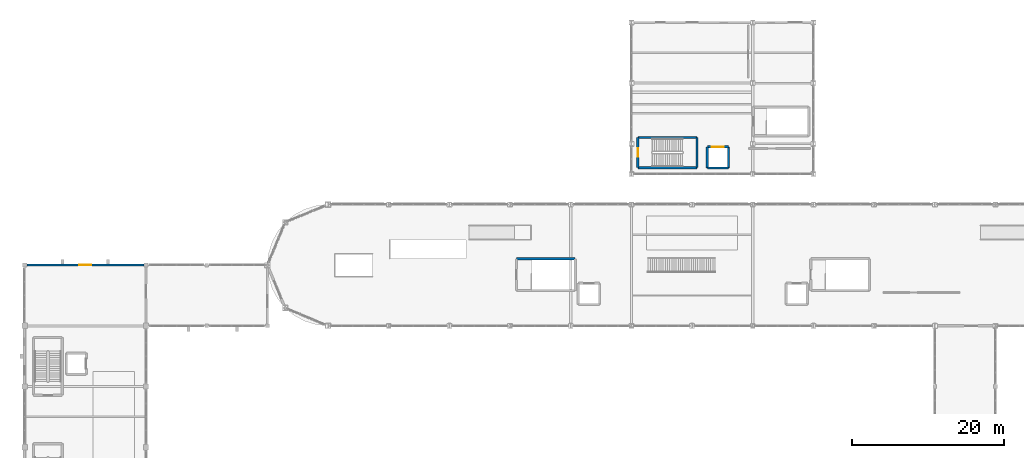
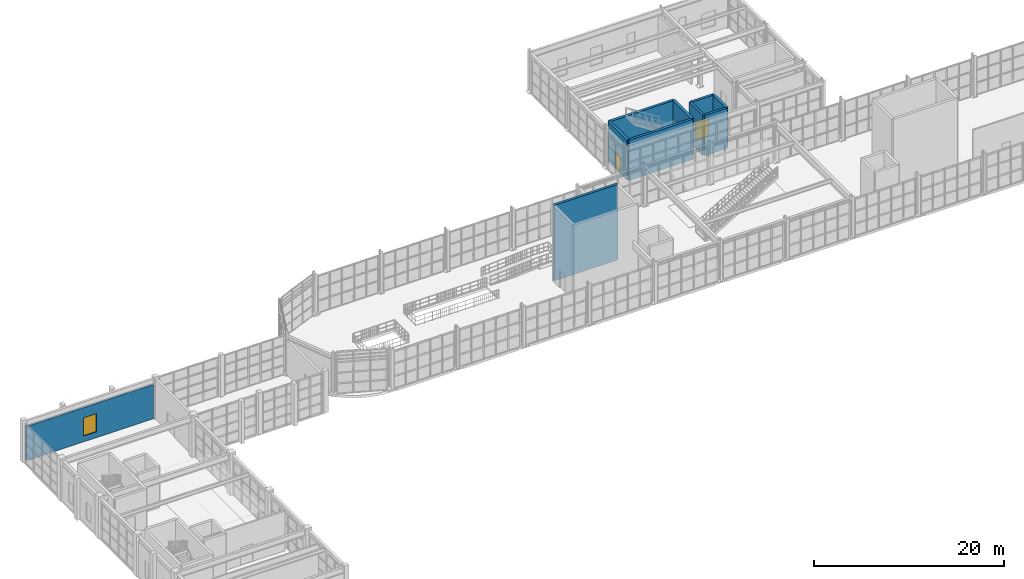
# One storey, part 68 of 82: 10 walls, 2 doors, 1 window, 3 openings.
"""IFC4 building model written with IfcOpenShell, lengths in metres."""

from ifc_helpers import new_model, si_unit, direction, frame, frame_2d, origin, place, context, subcontext, project, spatial, rectangle, extrude, material, layer, layer_set, type_object, element, fill, save


model = new_model("IFC4")

# Units and contexts
model_context = context("Model", 3, precision=1e-05, world=origin(), true_north=direction((0.0, 1.0)))
body_context = subcontext(model_context, "Body", "Model", "MODEL_VIEW")
ifc_project = project(units=[si_unit("LENGTHUNIT", "METRE"), si_unit("AREAUNIT", "SQUARE_METRE"), si_unit("VOLUMEUNIT", "CUBIC_METRE"), si_unit("PLANEANGLEUNIT", "RADIAN"), si_unit("MASSUNIT", "GRAM", prefix="KILO")], contexts=[model_context])

# Site, building, storey
site_placement = place(None, origin())
site = spatial("IfcSite", under=ifc_project, at=site_placement, CompositionType="ELEMENT")
building_placement = place(site_placement, origin())
building = spatial("IfcBuilding", under=site, at=building_placement, Name="Serraluz Foothill Cableway Terminal", CompositionType="ELEMENT")
storey_placement = place(building_placement, frame((0.0, 0.0, 9.60009765625)))
storey = spatial("IfcBuildingStorey", under=building, at=storey_placement, Name="L02", CompositionType="ELEMENT", Elevation=9.60009765625)

# Wall, opening, window
ifc_material_1 = material(Name="Fired clay masonry brick (f'm 12 MPa)", Category="masonry")
ifc_layer_1 = layer(ifc_material_1, 0.260009765625, Name="Fired clay masonry brick (f'm 12 MPa)", Category="masonry")
ifc_layer_set_1 = layer_set([ifc_layer_1], Name="Fired clay masonry brick (f'm 12 MPa)")
wall_type_1 = type_object("IfcWallType", Name="TYP-WL-EXT-260", PredefinedType="STANDARD", material=ifc_layer_set_1)
wall_1_placement = place(storey_placement, frame((0.27490234375, 64.0, 0.0), z_axis=(0.0, 0.0, 1.0), x_axis=(1.0, 0.0, 0.0)))
wall_1 = element("IfcWall", 1, at=wall_1_placement, inside=storey, type_object=wall_type_1, Name="Exterior Masonry Wall EW-V5N-L02", PredefinedType="STANDARD", context=body_context, shape_type="SweptSolid", body=[
    extrude(rectangle(XDim=15.4501953125, YDim=0.260009765625, at=frame_2d((7.72509765625, 0.0))), origin(), (0.0, 0.0, 1.0), 4.3798828125),
])
opening_1_placement = place(wall_1_placement, frame((6.949951171875, 0.0, 0.75)))
opening_1 = element("IfcOpeningElement", 2, at=opening_1_placement, cuts=wall_1, Name="Opening W-42", PredefinedType="OPENING", context=body_context, shape_type="SweptSolid", body=[
    extrude(rectangle(XDim=1.550048828125, YDim=2.35009765625, at=frame_2d((0.77490234375, 1.175048828125))), frame((0.0, 0.14013671875, 0.0), z_axis=(0.0, -1.0, 0.0), x_axis=(1.0, 0.0, 0.0)), (0.0, 0.0, 1.0), 0.280029296875),
])
ifc_material_2 = material(Name="Laminated low-E safety glass", Category="glass")
window_type = type_object("IfcWindowType", Name="TYP-WN-155X235", PartitioningType="DOUBLE_PANEL_VERTICAL", PredefinedType="WINDOW", material=ifc_material_2)
window_placement = place(opening_1_placement, origin())
window = element("IfcWindow", 3, at=window_placement, inside=storey, type_object=window_type, Name="Exterior Window EW-V5N-L02-WN2", OverallHeight=2.35009765625, OverallWidth=1.550048828125, PartitioningType="SINGLE_PANEL", PredefinedType="WINDOW", context=body_context, shape_type="SweptSolid", body=[
    extrude(rectangle(XDim=1.550048828125, YDim=2.35009765625, at=frame_2d((0.77490234375, 1.175048828125))), frame((0.0, 0.030029296875, 0.0), z_axis=(0.0, -1.0, 0.0), x_axis=(1.0, 0.0, 0.0)), (0.0, 0.0, 1.0), 0.06005859375),
])
fill(opening_1, window)

# Walls
ifc_material_3 = material(Name="Concrete C35/45 (f'c 35 MPa)", Category="concrete")
ifc_layer_2 = layer(ifc_material_3, 0.300048828125, Name="Concrete C35/45 (f'c 35 MPa)", Category="concrete")
ifc_layer_set_2 = layer_set([ifc_layer_2], Name="Concrete C35/45 (f'c 35 MPa)")
wall_type_2 = type_object("IfcWallType", Name="TYP-WL-SHR-350", PredefinedType="SHEAR", material=ifc_layer_set_2)
wall_2_placement = place(storey_placement, frame((64.85009765625, 64.830078125, 0.0), z_axis=(0.0, 0.0, 1.0), x_axis=(1.0, 0.0, 0.0)))
element("IfcWall", 4, at=wall_2_placement, inside=storey, type_object=wall_type_2, Name="Stair Core Shear Wall CW-ST-03-L02-N", PredefinedType="SHEAR", context=body_context, shape_type="SweptSolid", body=[
    extrude(rectangle(XDim=7.724853515625, YDim=0.300048828125, at=frame_2d((3.8623046875, 0.0))), origin(), (0.0, 0.0, 1.0), 9.699951171875),
])
wall_3_placement = place(storey_placement, frame((88.659912109375, 76.85009765625, 0.0), z_axis=(0.0, 0.0, 1.0), x_axis=(-1.0, 0.0, 0.0)))
element("IfcWall", 5, at=wall_3_placement, inside=storey, type_object=wall_type_2, Name="Stair Core Shear Wall CW-ST-08-L02-S", PredefinedType="SHEAR", context=body_context, shape_type="SweptSolid", body=[
    extrude(rectangle(XDim=7.809814453125, YDim=0.300048828125, at=frame_2d((3.90478515625, 0.0))), origin(), (0.0, 0.0, 1.0), 5.14990234375),
])

# Wall, opening, door
wall_4_placement = place(storey_placement, frame((80.85009765625, 76.85009765625, 0.0), z_axis=(0.0, 0.0, 1.0), x_axis=(0.0, 1.0, 0.0)))
wall_4 = element("IfcWall", 6, at=wall_4_placement, inside=storey, type_object=wall_type_2, Name="Stair Core Shear Wall CW-ST-08-L02-W", PredefinedType="SHEAR", context=body_context, shape_type="SweptSolid", body=[
    extrude(rectangle(XDim=3.97998046875, YDim=0.300048828125, at=frame_2d((1.989990234375, 0.0))), origin(), (0.0, 0.0, 1.0), 5.14990234375),
])
opening_2_placement = place(wall_4_placement, frame((1.43994140625, 0.0, 0.0)))
opening_2 = element("IfcOpeningElement", 7, at=opening_2_placement, cuts=wall_4, Name="Opening DF-07", PredefinedType="OPENING", context=body_context, shape_type="SweptSolid", body=[
    extrude(rectangle(XDim=1.10009765625, YDim=2.199951171875, at=frame_2d((0.550048828125, 1.10009765625))), frame((0.0, 0.16015625, 0.0), z_axis=(0.0, -1.0, 0.0), x_axis=(1.0, 0.0, 0.0)), (0.0, 0.0, 1.0), 0.320068359375),
])
ifc_material_4 = material(Name="Galvanized hollow-metal steel sheet", Category="steel")
door_type_1 = type_object("IfcDoorType", Name="TYP-DR-FD60-1100", OperationType="NOTDEFINED", PredefinedType="DOOR", material=ifc_material_4)
door_1_placement = place(opening_2_placement, origin())
door_1 = element("IfcDoor", 8, at=door_1_placement, inside=storey, type_object=door_type_1, Name="Exit Stair Fire Door ST-08 L02", OperationType="SINGLE_SWING_RIGHT", OverallHeight=2.199951171875, OverallWidth=1.10009765625, PredefinedType="DOOR", context=body_context, shape_type="SweptSolid", body=[
    extrude(rectangle(XDim=1.10009765625, YDim=2.199951171875, at=frame_2d((0.550048828125, 1.10009765625))), frame((0.0, 0.02490234375, 0.0), z_axis=(0.0, -1.0, 0.0), x_axis=(1.0, 0.0, 0.0)), (0.0, 0.0, 1.0), 0.050048828125),
])
fill(opening_2, door_1)

# Walls
wall_5_placement = place(storey_placement, frame((80.85009765625, 80.830078125, 0.0), z_axis=(0.0, 0.0, 1.0), x_axis=(1.0, 0.0, 0.0)))
element("IfcWall", 9, at=wall_5_placement, inside=storey, type_object=wall_type_2, Name="Stair Core Shear Wall CW-ST-08-L02-N", PredefinedType="SHEAR", context=body_context, shape_type="SweptSolid", body=[
    extrude(rectangle(XDim=7.809814453125, YDim=0.300048828125, at=frame_2d((3.90478515625, 0.0))), origin(), (0.0, 0.0, 1.0), 5.14990234375),
])
wall_6_placement = place(storey_placement, frame((88.659912109375, 80.830078125, 0.0), z_axis=(0.0, 0.0, 1.0), x_axis=(0.0, -1.0, 0.0)))
element("IfcWall", 10, at=wall_6_placement, inside=storey, type_object=wall_type_2, Name="Stair Core Shear Wall CW-ST-08-L02-E", PredefinedType="SHEAR", context=body_context, shape_type="SweptSolid", body=[
    extrude(rectangle(XDim=3.97998046875, YDim=0.300048828125, at=frame_2d((1.989990234375, 0.0))), origin(), (0.0, 0.0, 1.0), 5.14990234375),
])
for number, where, z_axis, x_axis, name in (
    (11, (92.800048828125, 76.800048828125, 0.0), (0.0, 0.0, 1.0), (-1.0, 0.0, 0.0), "Lift Shaft Shear Wall LW-LF-07-L02-S"),
    (12, (90.0, 76.800048828125, 0.0), (0.0, 0.0, 1.0), (0.0, 1.0, 0.0), "Lift Shaft Shear Wall LW-LF-07-L02-W"),
):
    element("IfcWall", number, at=place(storey_placement, frame(where, z_axis=z_axis, x_axis=x_axis)), inside=storey, type_object=wall_type_2, Name=name, PredefinedType="SHEAR", context=body_context, shape_type="SweptSolid", body=[
        extrude(rectangle(XDim=2.800048828125, YDim=0.300048828125, at=frame_2d((1.39990234375, 0.0))), origin(), (0.0, 0.0, 1.0), 5.14990234375),
    ])

# Wall, opening, door
wall_7_placement = place(storey_placement, frame((90.0, 79.60009765625, 0.0), z_axis=(0.0, 0.0, 1.0), x_axis=(1.0, 0.0, 0.0)))
wall_7 = element("IfcWall", 13, at=wall_7_placement, inside=storey, type_object=wall_type_2, Name="Lift Shaft Shear Wall LW-LF-07-L02-N", PredefinedType="SHEAR", context=body_context, shape_type="SweptSolid", body=[
    extrude(rectangle(XDim=2.800048828125, YDim=0.300048828125, at=frame_2d((1.39990234375, 0.0))), origin(), (0.0, 0.0, 1.0), 5.14990234375),
])
opening_3_placement = place(wall_7_placement, frame((0.60009765625, 0.0, 0.0)))
opening_3 = element("IfcOpeningElement", 14, at=opening_3_placement, cuts=wall_7, Name="Opening LD-03", PredefinedType="OPENING", context=body_context, shape_type="SweptSolid", body=[
    extrude(rectangle(XDim=1.60009765625, YDim=2.39990234375, at=frame_2d((0.800048828125, 1.199951171875))), frame((0.0, 0.16015625, 0.0), z_axis=(0.0, -1.0, 0.0), x_axis=(1.0, 0.0, 0.0)), (0.0, 0.0, 1.0), 0.320068359375),
])
door_type_2 = type_object("IfcDoorType", Name="TYP-DR-LD-1600", OperationType="DOUBLE_DOOR_SLIDING", PredefinedType="DOOR", material=ifc_material_4)
door_2_placement = place(opening_3_placement, origin())
door_2 = element("IfcDoor", 15, at=door_2_placement, inside=storey, type_object=door_type_2, Name="Lift Sliding Landing Door LF-07 L02", OperationType="DOUBLE_DOOR_SLIDING", OverallHeight=2.39990234375, OverallWidth=1.60009765625, PredefinedType="DOOR", context=body_context, shape_type="SweptSolid", body=[
    extrude(rectangle(XDim=1.60009765625, YDim=2.39990234375, at=frame_2d((0.800048828125, 1.199951171875))), frame((0.0, 0.02490234375, 0.0), z_axis=(0.0, -1.0, 0.0), x_axis=(1.0, 0.0, 0.0)), (0.0, 0.0, 1.0), 0.050048828125),
])
fill(opening_3, door_2)

# Wall
wall_8_placement = place(storey_placement, frame((92.800048828125, 79.60009765625, 0.0), z_axis=(0.0, 0.0, 1.0), x_axis=(0.0, -1.0, 0.0)))
element("IfcWall", 16, at=wall_8_placement, inside=storey, type_object=wall_type_2, Name="Lift Shaft Shear Wall LW-LF-07-L02-E", PredefinedType="SHEAR", context=body_context, shape_type="SweptSolid", body=[
    extrude(rectangle(XDim=2.800048828125, YDim=0.300048828125, at=frame_2d((1.39990234375, 0.0))), origin(), (0.0, 0.0, 1.0), 5.14990234375),
])

save(model, "model.ifc")
